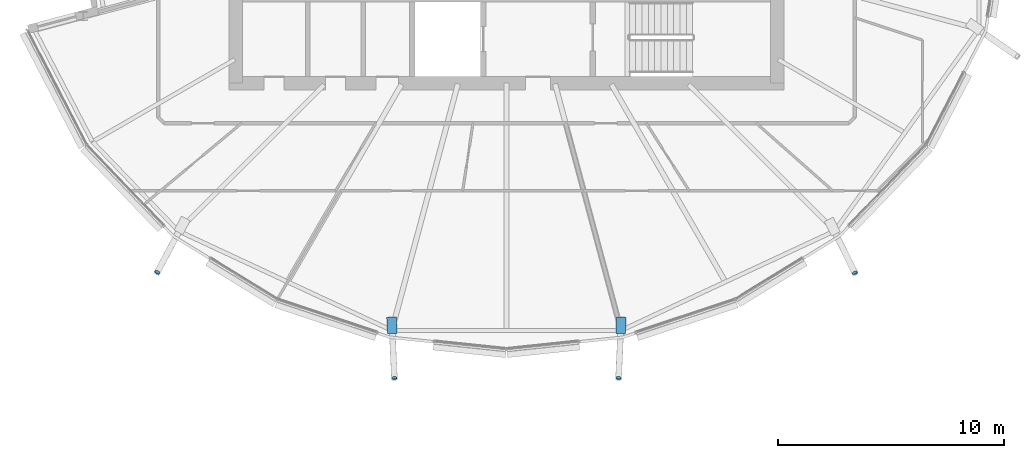
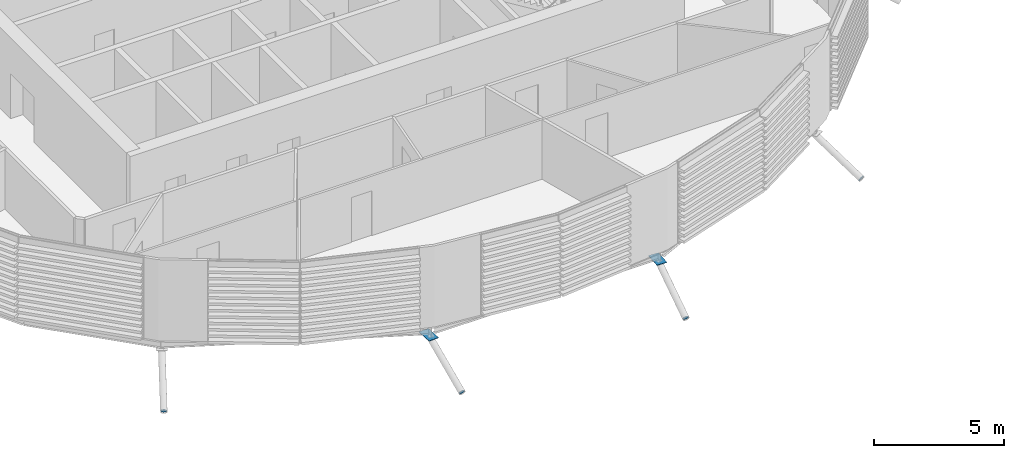
# One storey, part 25 of 36: 6 discrete accessories.
"""IFC4 building model written with IfcOpenShell, lengths in metres."""

from ifc_helpers import new_model, si_unit, direction, frame, origin, origin_2d, place, context, subcontext, project, spatial, polyline, rectangle, circle, outline, extrude, material, material_profile, profile_set, type_object, element, save


model = new_model("IFC4")

# Units and contexts
model_context = context("Model", 3, precision=1e-05, world=origin(), true_north=direction((0.0, 1.0)))
body_context = subcontext(model_context, "Body", "Model", "MODEL_VIEW")
ifc_project = project(units=[si_unit("LENGTHUNIT", "METRE"), si_unit("AREAUNIT", "SQUARE_METRE"), si_unit("VOLUMEUNIT", "CUBIC_METRE"), si_unit("PLANEANGLEUNIT", "RADIAN"), si_unit("MASSUNIT", "GRAM", prefix="KILO")], contexts=[model_context])

# Site, building, storey
site_placement = place(None, origin())
site = spatial("IfcSite", under=ifc_project, at=site_placement, CompositionType="ELEMENT")
building_placement = place(site_placement, origin())
building = spatial("IfcBuilding", under=site, at=building_placement, Name="Rimbun Link Towers", CompositionType="ELEMENT")
storey_placement = place(building_placement, frame((0.0, 0.0, 174.10009765625)))
storey = spatial("IfcBuildingStorey", under=building, at=storey_placement, Name="L42", CompositionType="ELEMENT", Elevation=174.10009765625)

# Discrete accessories
ifc_material_1 = material(Name="Steel S355J2H", Category="steel")
ifc_material_profile_1 = material_profile(ifc_material_1, circle(Radius=0.1240234375, at=origin_2d()), Name="PL D248")
ifc_profile_set_1 = profile_set([ifc_material_profile_1], Name="Steel S355J2H")
discrete_accessory_type_1 = type_object("IfcDiscreteAccessoryType", Name="Link foot sealing plate D248X20", PredefinedType="BRACKET", material=ifc_profile_set_1)
for number, where, z_axis, x_axis, name in (
    (1, (-47.221435546875, -16.376708984375, -2.0966796875), (-0.403249456213, -0.757620190461, -0.513226580635), (0.882746759079, -0.469849081445, 0.0), "Link foot sealing plate T1 L42 15"),
    (2, (-36.717529296875, -21.06201171875, -2.0517578125), (0.048791373472, -0.878244722495, -0.475715891351), (0.998460353205, 0.055470019623, 0.0), "Link foot sealing plate T1 L42 17"),
    (3, (-26.782470703125, -21.06201171875, -2.0517578125), (-0.048791373472, -0.878244722495, -0.475715891351), (0.998460353205, -0.055470019623, 0.0), "Link foot sealing plate T1 L42 19"),
):
    element("IfcDiscreteAccessory", number, at=place(storey_placement, frame(where, z_axis=z_axis, x_axis=x_axis)), inside=storey, type_object=discrete_accessory_type_1, Name=name, PredefinedType="BRACKET", context=body_context, shape_type="SweptSolid", body=[
        extrude(circle(Radius=0.1240234375, at=origin_2d()), origin(), (0.0, 0.0, 1.0), 0.02001953125),
    ])
discrete_accessory_1_placement = place(storey_placement, frame((-16.313232421875, -16.39794921875, -2.005126953125), z_axis=(0.383623411563, -0.779621771885, -0.494997950403), x_axis=(0.897257484736, 0.441507651219, 0.0)))
element("IfcDiscreteAccessory", 4, at=discrete_accessory_1_placement, inside=storey, type_object=discrete_accessory_type_1, Name="Link foot sealing plate T1 L42 21", PredefinedType="BRACKET", context=body_context, shape_type="SweptSolid", body=[
    extrude(circle(Radius=0.1240234375, at=origin_2d()), origin(), (0.0, 0.0, 1.0), 0.019775390625),
])
ifc_material_2 = material(Name="Steel S355J2H", Category="steel")
ifc_material_profile_2 = material_profile(ifc_material_2, rectangle(XDim=0.43310546875, YDim=0.43310546875, at=origin_2d()), Name="PL 433x433")
ifc_profile_set_2 = profile_set([ifc_material_profile_2], Name="Steel S355J2H")
discrete_accessory_type_2 = type_object("IfcDiscreteAccessoryType", Name="Link head end plate 433X20", PredefinedType="BRACKET", material=ifc_profile_set_2)
discrete_accessory_2_placement = place(storey_placement, frame((0.0, 0.0, -0.772705078125)))
element("IfcDiscreteAccessory", 5, at=discrete_accessory_2_placement, inside=storey, type_object=discrete_accessory_type_2, Name="Link head end plate T1 L42 17", PredefinedType="BRACKET", context=body_context, shape_type="SweptSolid", body=[
    extrude(outline(polyline([(-37.059814453125, -18.3798828125), (-37.025634765625, -19.106689453125), (-36.593017578125, -19.08642578125), (-36.627197265625, -18.359619140625), (-37.059814453125, -18.3798828125)])), origin(), (0.0, 0.0, 1.0), 0.02001953125),
])
discrete_accessory_3_placement = place(storey_placement, frame((0.0, 0.0, -0.772705078125)))
element("IfcDiscreteAccessory", 6, at=discrete_accessory_3_placement, inside=storey, type_object=discrete_accessory_type_2, Name="Link head end plate T1 L42 19", PredefinedType="BRACKET", context=body_context, shape_type="SweptSolid", body=[
    extrude(outline(polyline([(-26.872802734375, -18.359619140625), (-26.906982421875, -19.08642578125), (-26.474365234375, -19.106689453125), (-26.440185546875, -18.3798828125), (-26.872802734375, -18.359619140625)])), origin(), (0.0, 0.0, 1.0), 0.02001953125),
])

save(model, "model.ifc")
